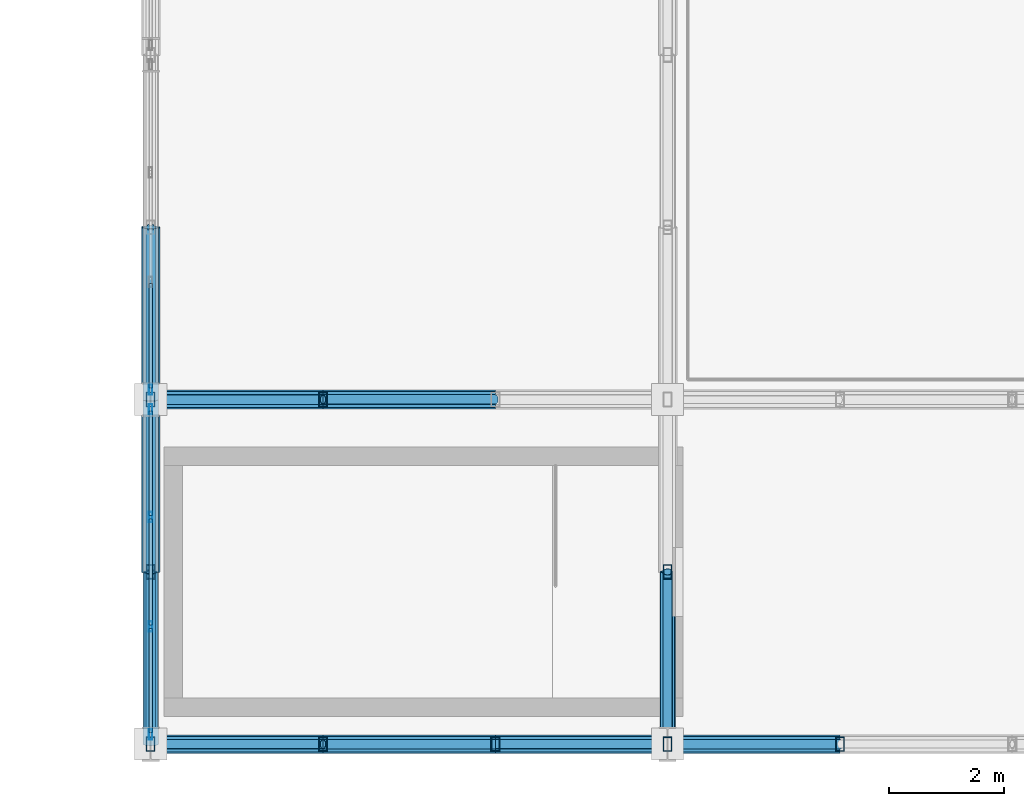
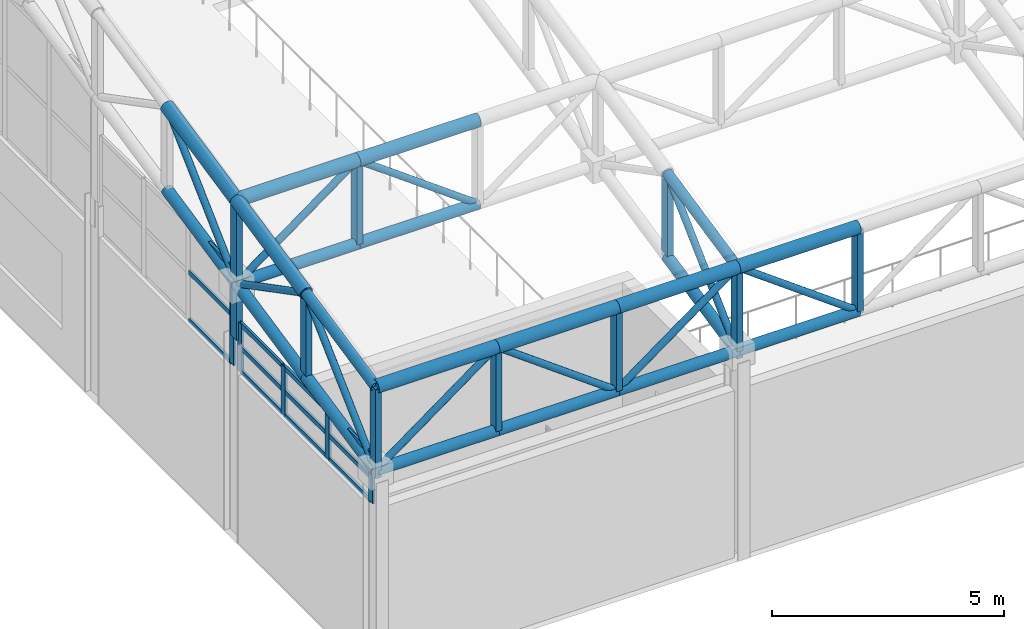
# One storey, part 11 of 112: 56 members, 2 elements without a shape of their own.
"""IFC4 building model written with IfcOpenShell, lengths in metres."""

import ifcopenshell
import ifcopenshell.guid

model = None  # the IFC model being written
_history = None  # IfcOwnerHistory: only IFC2X3 demands one
_inside = {}  # id of a spatial element -> (the spatial element, [elements in it])
_under = {}  # id of a project, library or spatial element -> (it, [spatial elements below it])
_declared = {}  # id of a project -> (the project, [libraries it declares])
_typed = {}  # id of a type object -> (the type object, [elements of that type])
_made_of = {}  # id of a material, layer set ... -> (it, [elements and type objects made of it])


def new_model(schema):
    """Start an empty IFC model of exactly this schema.

    Asked for "IFC4X3", IfcOpenShell would pick the latest addendum, in which some entities
    have other attributes; the version numbers below select the first issue.
    IFC2X3 requires an IfcOwnerHistory on every rooted entity: one is made here for all.
    """
    global model, _history
    if schema == "IFC4X3":
        model = ifcopenshell.file(schema_version=(4, 3, 0, 0))
    else:
        model = ifcopenshell.file(schema=schema)
    _inside.clear()
    _under.clear()
    _declared.clear()
    _typed.clear()
    _made_of.clear()
    _history = None
    if model.schema == "IFC2X3":
        org = make("IfcOrganization", Name="unknown")
        user = make(
            "IfcPersonAndOrganization",
            ThePerson=make("IfcPerson", FamilyName="unknown"),
            TheOrganization=org,
        )
        app = make(
            "IfcApplication",
            ApplicationDeveloper=org,
            Version="unknown",
            ApplicationFullName="unknown",
            ApplicationIdentifier="unknown",
        )
        _history = make(
            "IfcOwnerHistory",
            OwningUser=user,
            OwningApplication=app,
            ChangeAction="ADDED",
            CreationDate=0,
        )
    return model


def make(cls, **values):
    """One entity of the class cls with the attributes given. An attribute that is None is left unset."""
    return model.create_entity(
        cls, **{name: value for name, value in values.items() if value is not None}
    )


def rooted(cls, **values):
    """An entity with a GlobalId (a new one), such as an element, a storey or a relation."""
    return make(cls, GlobalId=ifcopenshell.guid.new(), OwnerHistory=_history, **values)


def si_unit(unit_type, name, prefix=None):
    """IfcSIUnit, for example si_unit("LENGTHUNIT", "METRE", prefix="MILLI")."""
    return make("IfcSIUnit", UnitType=unit_type, Prefix=prefix, Name=name)


def assignment(units):
    """IfcUnitAssignment: the units of a project."""
    return None if units is None else make("IfcUnitAssignment", Units=units)


def point(xyz):
    """IfcCartesianPoint."""
    return None if xyz is None else make("IfcCartesianPoint", Coordinates=xyz)


def direction(xyz):
    """IfcDirection."""
    return None if xyz is None else make("IfcDirection", DirectionRatios=xyz)


def frame(location, z_axis=None, x_axis=None):
    """IfcAxis2Placement3D, a coordinate frame: its origin and axes. An axis left out is left unset."""
    return make(
        "IfcAxis2Placement3D",
        Location=point(location),
        Axis=direction(z_axis),
        RefDirection=direction(x_axis),
    )


def frame_2d(location, x_axis=None):
    """IfcAxis2Placement2D, a coordinate frame in the plane: its origin and x axis."""
    return make(
        "IfcAxis2Placement2D", Location=point(location), RefDirection=direction(x_axis)
    )


def origin():
    """The frame at (0, 0, 0) with its axes left unset."""
    return frame((0.0, 0.0, 0.0))


def origin_2d():
    """The frame at (0, 0) in the plane with its x axis left unset."""
    return frame_2d((0.0, 0.0))


def place(relative_to, where):
    """IfcLocalPlacement: puts the frame where relative to a parent placement (None: the world)."""
    return make(
        "IfcLocalPlacement", PlacementRelTo=relative_to, RelativePlacement=where
    )


def context(
    kind, dimensions, precision=None, world=None, true_north=None, identifier=None
):
    """IfcGeometricRepresentationContext, for example the 3D "Model" context."""
    return make(
        "IfcGeometricRepresentationContext",
        ContextIdentifier=identifier,
        ContextType=kind,
        CoordinateSpaceDimension=dimensions,
        Precision=precision,
        WorldCoordinateSystem=world,
        TrueNorth=true_north,
    )


def subcontext(parent, identifier, kind, view, scale=None):
    """IfcGeometricRepresentationSubContext, for example "Body" below "Model"."""
    return make(
        "IfcGeometricRepresentationSubContext",
        ContextIdentifier=identifier,
        ContextType=kind,
        ParentContext=parent,
        TargetScale=scale,
        TargetView=view,
    )


def project(units=None, contexts=None):
    """IfcProject with its units and contexts."""
    return rooted(
        "IfcProject",
        Name="project",
        RepresentationContexts=contexts,
        UnitsInContext=assignment(units),
    )


def spatial(cls, under=None, at=None, **own):
    """A site, building, storey or space (cls), placed at a placement, below another one or the project."""
    s = rooted(cls, ObjectPlacement=at, **own)
    if under is not None:
        _under.setdefault(under.id(), (under, []))[1].append(s)
    return s


def profile(cls, at=None, kind="AREA", **sizes):
    """A parametric profile (cls). Its sizes go by their IFC names, for example OverallWidth=200.0."""
    return make(cls, ProfileType=kind, Position=at, **sizes)


def hollow_rectangle(**sizes):
    """IfcRectangleHollowProfileDef."""
    return profile("IfcRectangleHollowProfileDef", **sizes)


def hollow_circle(**sizes):
    """IfcCircleHollowProfileDef."""
    return profile("IfcCircleHollowProfileDef", **sizes)


def extrude(swept, where, along, depth):
    """IfcExtrudedAreaSolid: the profile swept, set in the frame where, extruded along a direction by depth."""
    return make(
        "IfcExtrudedAreaSolid",
        SweptArea=swept,
        Position=where,
        ExtrudedDirection=direction(along),
        Depth=depth,
    )


def shape(context_of_items, identifier, shape_type, items):
    """IfcShapeRepresentation: the items that make up one representation, for example the "Body"."""
    return make(
        "IfcShapeRepresentation",
        ContextOfItems=context_of_items,
        RepresentationIdentifier=identifier,
        RepresentationType=shape_type,
        Items=items,
    )


def material(Name=None, Category=None):
    """IfcMaterial."""
    return make("IfcMaterial", Name=Name, Category=Category)


def material_profile(
    of_material, cross_section, Name=None, Category=None, Priority=None
):
    """IfcMaterialProfile: a cross section and its material."""
    return make(
        "IfcMaterialProfile",
        Name=Name,
        Material=of_material,
        Profile=cross_section,
        Priority=Priority,
        Category=Category,
    )


def profile_set(profiles, Name=None, composite=None):
    """IfcMaterialProfileSet."""
    return make(
        "IfcMaterialProfileSet",
        Name=Name,
        MaterialProfiles=profiles,
        CompositeProfile=composite,
    )


def made_of(thing, what):
    """Note that an element or type object is made of a material, layer set ...; save() writes the relation."""
    if what is not None:
        _made_of.setdefault(what.id(), (what, []))[1].append(thing)
    return thing


def type_object(cls, material=None, **own):
    """A type object (cls), such as IfcWallType, which elements share."""
    return made_of(rooted(cls, **own), material)


def element(
    cls,
    number,
    at=None,
    inside=None,
    cuts=None,
    type_object=None,
    material=None,
    context=None,
    identifier="Body",
    shape_type=None,
    held_by="IfcProductDefinitionShape",
    body=None,
    shapes=None,
    **own,
):
    """One element of the class cls, such as IfcWall. Its Tag is "e" and its number.

    at: its placement. inside: the storey or other place that contains it. cuts: it is an
    opening in that element (IfcRelVoidsElement). A single representation is given by context,
    identifier, shape_type and body (its items); several are given by shapes. held_by: the class
    of the entity that holds the representations. save() writes the other relations.
    """
    e = rooted(cls, Tag="e%d" % number, ObjectPlacement=at, **own)
    if body is not None:
        shapes = [shape(context, identifier, shape_type, body)]
    if shapes is not None:
        e.Representation = make(held_by, Representations=shapes)
    if inside is not None:
        _inside.setdefault(inside.id(), (inside, []))[1].append(e)
    if cuts is not None:
        rooted(
            "IfcRelVoidsElement", RelatingBuildingElement=cuts, RelatedOpeningElement=e
        )
    if type_object is not None:
        _typed.setdefault(type_object.id(), (type_object, []))[1].append(e)
    return made_of(e, material)


def aggregate(whole, parts):
    """IfcRelAggregates: a whole, such as a stair, and the parts it consists of."""
    return rooted("IfcRelAggregates", RelatingObject=whole, RelatedObjects=parts)


def save(model, path):
    """Write the relations noted so far, then the file.

    IfcRelAggregates (storeys below a building ...), IfcRelContainedInSpatialStructure (elements
    in a storey), IfcRelDefinesByType, IfcRelAssociatesMaterial and IfcRelDeclares: one each for
    every whole, place, type object, material and project.
    """
    for whole, parts in _under.values():
        aggregate(whole, parts)
    for where, things in _inside.values():
        rooted(
            "IfcRelContainedInSpatialStructure",
            RelatedElements=things,
            RelatingStructure=where,
        )
    for kind, things in _typed.values():
        rooted("IfcRelDefinesByType", RelatedObjects=things, RelatingType=kind)
    for what, things in _made_of.values():
        rooted("IfcRelAssociatesMaterial", RelatedObjects=things, RelatingMaterial=what)
    for by, libraries in _declared.values():
        rooted("IfcRelDeclares", RelatingContext=by, RelatedDefinitions=libraries)
    model.write(path)


model = new_model("IFC4")

# Units and contexts
model_context = context("Model", 3, precision=1e-05, world=origin(), true_north=direction((0.0, 1.0)))
body_context = subcontext(model_context, "Body", "Model", "MODEL_VIEW")
ifc_project = project(units=[si_unit("LENGTHUNIT", "METRE"), si_unit("AREAUNIT", "SQUARE_METRE"), si_unit("VOLUMEUNIT", "CUBIC_METRE"), si_unit("PLANEANGLEUNIT", "RADIAN"), si_unit("MASSUNIT", "GRAM", prefix="KILO")], contexts=[model_context])

# Site, building, storey
site_placement = place(None, origin())
site = spatial("IfcSite", under=ifc_project, at=site_placement, CompositionType="ELEMENT")
building_placement = place(site_placement, origin())
building = spatial("IfcBuilding", under=site, at=building_placement, Name="Kaldris Quays Convention Centre", CompositionType="ELEMENT")
storey_placement = place(building_placement, frame((0.0, 0.0, 16.800048828125)))
storey = spatial("IfcBuildingStorey", under=building, at=storey_placement, Name="L03", CompositionType="ELEMENT", Elevation=16.800048828125)

# Curtain wall, members
ifc_material_1 = material(Name="Anodized aluminium AW-6060 and triple glazing", Category="aluminium")
curtain_wall_type = type_object("IfcCurtainWallType", Name="UNITISED CURTAIN WALL CW05", PredefinedType="NOTDEFINED", material=ifc_material_1)
curtain_wall_1_placement = place(storey_placement, origin())
curtain_wall_1 = element("IfcCurtainWall", 1, at=curtain_wall_1_placement, inside=storey, type_object=curtain_wall_type, Name="L03 Unitised Curtain Wall CW05 259", PredefinedType="NOTDEFINED")
ifc_material_2 = material(Name="Anodized aluminium AW-6060", Category="aluminium")
ifc_material_profile_1 = material_profile(ifc_material_2, hollow_rectangle(XDim=0.06005859375, YDim=0.179931640625, WallThickness=0.0048828125, at=origin_2d()), Name="RHS 180x60x5")
ifc_profile_set_1 = profile_set([ifc_material_profile_1], Name="Anodized aluminium AW-6060")
member_type_1 = type_object("IfcMemberType", Name="CURTAIN MULLION CWM2", PredefinedType="MULLION", material=ifc_profile_set_1)
member_1_placement = place(storey_placement, frame((20.0, 16.169921875, 4.39501953125), z_axis=(0.0, 0.0, 1.0), x_axis=(-1.0, 0.0, 0.0)))
member_1 = element("IfcMember", 2, at=member_1_placement, type_object=member_type_1, Name="CW05 mullion 1", PredefinedType="MULLION", context=body_context, shape_type="SweptSolid", body=[
    extrude(hollow_rectangle(XDim=0.06005859375, YDim=0.179931640625, WallThickness=0.0048828125, at=origin_2d()), origin(), (0.0, 0.0, 1.0), 1.294921875),
])
member_2_placement = place(storey_placement, frame((20.0, 18.046630859375, 4.39501953125), z_axis=(0.0, 0.0, 1.0), x_axis=(-1.0, 0.0, 0.0)))
member_2 = element("IfcMember", 3, at=member_2_placement, type_object=member_type_1, Name="CW05 mullion 2", PredefinedType="MULLION", context=body_context, shape_type="SweptSolid", body=[
    extrude(hollow_rectangle(XDim=0.06005859375, YDim=0.179931640625, WallThickness=0.0048828125, at=origin_2d()), origin(), (0.0, 0.0, 1.0), 1.294921875),
])
member_3_placement = place(storey_placement, frame((20.0, 19.953369140625, 4.39501953125), z_axis=(0.0, 0.0, 1.0), x_axis=(-1.0, 0.0, 0.0)))
member_3 = element("IfcMember", 4, at=member_3_placement, type_object=member_type_1, Name="CW05 mullion 3", PredefinedType="MULLION", context=body_context, shape_type="SweptSolid", body=[
    extrude(hollow_rectangle(XDim=0.06005859375, YDim=0.179931640625, WallThickness=0.0048828125, at=origin_2d()), origin(), (0.0, 0.0, 1.0), 1.294921875),
])
member_4_placement = place(storey_placement, frame((20.0, 21.830078125, 4.39501953125), z_axis=(0.0, 0.0, 1.0), x_axis=(-1.0, 0.0, 0.0)))
member_4 = element("IfcMember", 5, at=member_4_placement, type_object=member_type_1, Name="CW05 mullion 4", PredefinedType="MULLION", context=body_context, shape_type="SweptSolid", body=[
    extrude(hollow_rectangle(XDim=0.06005859375, YDim=0.179931640625, WallThickness=0.0048828125, at=origin_2d()), origin(), (0.0, 0.0, 1.0), 1.294921875),
])

# Curtain wall, member
curtain_wall_2_placement = place(storey_placement, origin())
curtain_wall_2 = element("IfcCurtainWall", 6, at=curtain_wall_2_placement, inside=storey, type_object=curtain_wall_type, Name="L03 Unitised Curtain Wall CW05 260", PredefinedType="NOTDEFINED")
member_5_placement = place(storey_placement, frame((20.0, 22.169921875, 4.39501953125), z_axis=(0.0, 0.0, 1.0), x_axis=(-1.0, 0.0, 0.0)))
member_5 = element("IfcMember", 7, at=member_5_placement, type_object=member_type_1, Name="CW05 mullion 1", PredefinedType="MULLION", context=body_context, shape_type="SweptSolid", body=[
    extrude(hollow_rectangle(XDim=0.06005859375, YDim=0.179931640625, WallThickness=0.0048828125, at=origin_2d()), origin(), (0.0, 0.0, 1.0), 2.574951171875),
])

# Member
ifc_material_profile_2 = material_profile(ifc_material_2, hollow_rectangle(XDim=0.06005859375, YDim=0.1201171875, WallThickness=0.00390625, at=origin_2d()), Name="RHS 120x60x4")
ifc_profile_set_2 = profile_set([ifc_material_profile_2], Name="Anodized aluminium AW-6060")
member_type_2 = type_object("IfcMemberType", Name="CURTAIN TRANSOM CWT1", PredefinedType="USERDEFINED", material=ifc_profile_set_2)
member_6_placement = place(storey_placement, frame((20.0, 16.199951171875, 4.425048828125), z_axis=(0.0, 1.0, 0.0), x_axis=(-1.0, 0.0, 0.0)))
member_6 = element("IfcMember", 8, at=member_6_placement, type_object=member_type_2, Name="CW05 transom 1.1", ObjectType="TRANSOM", PredefinedType="USERDEFINED", context=body_context, shape_type="SweptSolid", body=[
    extrude(hollow_rectangle(XDim=0.06005859375, YDim=0.1201171875, WallThickness=0.00390625, at=origin_2d()), origin(), (0.0, 0.0, 1.0), 1.816650390625),
])

member_7_placement = place(storey_placement, frame((20.0, 16.199951171875, 5.04296875), z_axis=(0.0, 1.0, 0.0), x_axis=(-1.0, 0.0, 0.0)))
member_7 = element("IfcMember", 9, at=member_7_placement, type_object=member_type_2, Name="CW05 transom 1.2", ObjectType="TRANSOM", PredefinedType="USERDEFINED", context=body_context, shape_type="SweptSolid", body=[
    extrude(hollow_rectangle(XDim=0.06005859375, YDim=0.1201171875, WallThickness=0.00390625, at=origin_2d()), origin(), (0.0, 0.0, 1.0), 1.816650390625),
])

member_8_placement = place(storey_placement, frame((20.0, 16.199951171875, 5.659912109375), z_axis=(0.0, 1.0, 0.0), x_axis=(-1.0, 0.0, 0.0)))
member_8 = element("IfcMember", 10, at=member_8_placement, type_object=member_type_2, Name="CW05 transom 1.3", ObjectType="TRANSOM", PredefinedType="USERDEFINED", context=body_context, shape_type="SweptSolid", body=[
    extrude(hollow_rectangle(XDim=0.06005859375, YDim=0.1201171875, WallThickness=0.00390625, at=origin_2d()), origin(), (0.0, 0.0, 1.0), 1.816650390625),
])

member_9_placement = place(storey_placement, frame((20.0, 18.07666015625, 4.425048828125), z_axis=(0.0, 1.0, 0.0), x_axis=(-1.0, 0.0, 0.0)))
member_9 = element("IfcMember", 11, at=member_9_placement, type_object=member_type_2, Name="CW05 transom 2.1", ObjectType="TRANSOM", PredefinedType="USERDEFINED", context=body_context, shape_type="SweptSolid", body=[
    extrude(hollow_rectangle(XDim=0.06005859375, YDim=0.1201171875, WallThickness=0.00390625, at=origin_2d()), origin(), (0.0, 0.0, 1.0), 1.8466796875),
])

member_10_placement = place(storey_placement, frame((20.0, 18.07666015625, 5.04296875), z_axis=(0.0, 1.0, 0.0), x_axis=(-1.0, 0.0, 0.0)))
member_10 = element("IfcMember", 12, at=member_10_placement, type_object=member_type_2, Name="CW05 transom 2.2", ObjectType="TRANSOM", PredefinedType="USERDEFINED", context=body_context, shape_type="SweptSolid", body=[
    extrude(hollow_rectangle(XDim=0.06005859375, YDim=0.1201171875, WallThickness=0.00390625, at=origin_2d()), origin(), (0.0, 0.0, 1.0), 1.8466796875),
])

member_11_placement = place(storey_placement, frame((20.0, 18.07666015625, 5.659912109375), z_axis=(0.0, 1.0, 0.0), x_axis=(-1.0, 0.0, 0.0)))
member_11 = element("IfcMember", 13, at=member_11_placement, type_object=member_type_2, Name="CW05 transom 2.3", ObjectType="TRANSOM", PredefinedType="USERDEFINED", context=body_context, shape_type="SweptSolid", body=[
    extrude(hollow_rectangle(XDim=0.06005859375, YDim=0.1201171875, WallThickness=0.00390625, at=origin_2d()), origin(), (0.0, 0.0, 1.0), 1.8466796875),
])

member_12_placement = place(storey_placement, frame((20.0, 19.9833984375, 4.425048828125), z_axis=(0.0, 1.0, 0.0), x_axis=(-1.0, 0.0, 0.0)))
member_12 = element("IfcMember", 14, at=member_12_placement, type_object=member_type_2, Name="CW05 transom 3.1", ObjectType="TRANSOM", PredefinedType="USERDEFINED", context=body_context, shape_type="SweptSolid", body=[
    extrude(hollow_rectangle(XDim=0.06005859375, YDim=0.1201171875, WallThickness=0.00390625, at=origin_2d()), origin(), (0.0, 0.0, 1.0), 1.816650390625),
])

member_13_placement = place(storey_placement, frame((20.0, 19.9833984375, 5.04296875), z_axis=(0.0, 1.0, 0.0), x_axis=(-1.0, 0.0, 0.0)))
member_13 = element("IfcMember", 15, at=member_13_placement, type_object=member_type_2, Name="CW05 transom 3.2", ObjectType="TRANSOM", PredefinedType="USERDEFINED", context=body_context, shape_type="SweptSolid", body=[
    extrude(hollow_rectangle(XDim=0.06005859375, YDim=0.1201171875, WallThickness=0.00390625, at=origin_2d()), origin(), (0.0, 0.0, 1.0), 1.816650390625),
])

member_14_placement = place(storey_placement, frame((20.0, 19.9833984375, 5.659912109375), z_axis=(0.0, 1.0, 0.0), x_axis=(-1.0, 0.0, 0.0)))
member_14 = element("IfcMember", 16, at=member_14_placement, type_object=member_type_2, Name="CW05 transom 3.3", ObjectType="TRANSOM", PredefinedType="USERDEFINED", context=body_context, shape_type="SweptSolid", body=[
    extrude(hollow_rectangle(XDim=0.06005859375, YDim=0.1201171875, WallThickness=0.00390625, at=origin_2d()), origin(), (0.0, 0.0, 1.0), 1.816650390625),
])

aggregate(curtain_wall_1, [member_1, member_2, member_3, member_4, member_6, member_7, member_8, member_9, member_10, member_11, member_12, member_13, member_14])

member_15_placement = place(storey_placement, frame((20.0, 22.199951171875, 4.425048828125), z_axis=(0.0, 1.0, 0.0), x_axis=(-1.0, 0.0, 0.0)))
member_15 = element("IfcMember", 17, at=member_15_placement, type_object=member_type_2, Name="CW05 transom 1.1", ObjectType="TRANSOM", PredefinedType="USERDEFINED", context=body_context, shape_type="SweptSolid", body=[
    extrude(hollow_rectangle(XDim=0.06005859375, YDim=0.1201171875, WallThickness=0.00390625, at=origin_2d()), origin(), (0.0, 0.0, 1.0), 1.816650390625),
])

member_16_placement = place(storey_placement, frame((20.0, 22.199951171875, 5.682861328125), z_axis=(0.0, 1.0, 0.0), x_axis=(-1.0, 0.0, 0.0)))
member_16 = element("IfcMember", 18, at=member_16_placement, type_object=member_type_2, Name="CW05 transom 1.2", ObjectType="TRANSOM", PredefinedType="USERDEFINED", context=body_context, shape_type="SweptSolid", body=[
    extrude(hollow_rectangle(XDim=0.06005859375, YDim=0.1201171875, WallThickness=0.00390625, at=origin_2d()), origin(), (0.0, 0.0, 1.0), 1.816650390625),
])

member_17_placement = place(storey_placement, frame((20.0, 22.199951171875, 6.93994140625), z_axis=(0.0, 1.0, 0.0), x_axis=(-1.0, 0.0, 0.0)))
member_17 = element("IfcMember", 19, at=member_17_placement, type_object=member_type_2, Name="CW05 transom 1.3", ObjectType="TRANSOM", PredefinedType="USERDEFINED", context=body_context, shape_type="SweptSolid", body=[
    extrude(hollow_rectangle(XDim=0.06005859375, YDim=0.1201171875, WallThickness=0.00390625, at=origin_2d()), origin(), (0.0, 0.0, 1.0), 1.816650390625),
])

aggregate(curtain_wall_2, [member_5, member_15, member_16, member_17])

# Members
ifc_material_3 = material(Name="Steel S355J2H", Category="steel")
ifc_material_profile_3 = material_profile(ifc_material_3, hollow_circle(Radius=0.161865234375, WallThickness=0.01611328125, at=origin_2d()), Name="CHS 323.9x16")
ifc_profile_set_3 = profile_set([ifc_material_profile_3], Name="Steel S355J2H")
member_type_3 = type_object("IfcMemberType", Name="STRUCTURAL MEMBER SC03", PredefinedType="CHORD", material=ifc_profile_set_3)
for number, where, z_axis, x_axis, name in (
    (20, (20.0, 16.0, 7.530517578125), (1.0, 0.0, 0.0), (0.0, 1.0, 0.0), "SF-V3 Top Chord X 1"),
    (21, (23.0, 16.0, 7.530517578125), (1.0, 0.0, 0.0), (0.0, 1.0, 0.0), "SF-V3 Top Chord X 2"),
    (22, (26.0, 16.0, 7.530517578125), (1.0, 0.0, 0.0), (0.0, 1.0, 0.0), "SF-V3 Top Chord X 3"),
    (23, (29.0, 16.0, 7.530517578125), (1.0, 0.0, 0.0), (0.0, 1.0, 0.0), "SF-V3 Top Chord X 4"),
    (24, (20.0, 22.0, 8.810546875), (1.0, 0.0, 0.0), (0.0, 1.0, 0.0), "SF-V3 Top Chord X 22"),
    (25, (23.0, 22.0, 8.810546875), (1.0, 0.0, 0.0), (0.0, 1.0, 0.0), "SF-V3 Top Chord X 23"),
):
    element("IfcMember", number, at=place(storey_placement, frame(where, z_axis=z_axis, x_axis=x_axis)), inside=storey, type_object=member_type_3, Name=name, PredefinedType="CHORD", context=body_context, shape_type="SweptSolid", body=[
        extrude(hollow_circle(Radius=0.161865234375, WallThickness=0.01611328125, at=origin_2d()), origin(), (0.0, 0.0, 1.0), 3.0),
    ])
member_18_placement = place(storey_placement, frame((20.0, 19.0, 8.17041015625), z_axis=(0.0, 0.977983741211, 0.20868110103), x_axis=(-1.0, 0.0, 0.0)))
element("IfcMember", 26, at=member_18_placement, inside=storey, type_object=member_type_3, Name="SF-V3 Top Chord Y 107", PredefinedType="CHORD", context=body_context, shape_type="SweptSolid", body=[
    extrude(hollow_circle(Radius=0.161865234375, WallThickness=0.01611328125, at=origin_2d()), origin(), (0.0, 0.0, 1.0), 3.067626953125),
])
member_19_placement = place(storey_placement, frame((20.0, 22.0, 8.810546875), z_axis=(0.0, 0.977999981478, 0.208604976518), x_axis=(-1.0, 0.0, 0.0)))
element("IfcMember", 27, at=member_19_placement, inside=storey, type_object=member_type_3, Name="SF-V3 Top Chord Y 108", PredefinedType="CHORD", context=body_context, shape_type="SweptSolid", body=[
    extrude(hollow_circle(Radius=0.161865234375, WallThickness=0.01611328125, at=origin_2d()), origin(), (0.0, 0.0, 1.0), 3.0673828125),
])
ifc_material_profile_4 = material_profile(ifc_material_3, hollow_circle(Radius=0.136474609375, WallThickness=0.012451171875, at=origin_2d()), Name="CHS 273x12.5")
ifc_profile_set_4 = profile_set([ifc_material_profile_4], Name="Steel S355J2H")
member_type_4 = type_object("IfcMemberType", Name="STRUCTURAL MEMBER SC04", PredefinedType="CHORD", material=ifc_profile_set_4)
for number, where, z_axis, x_axis, name in (
    (28, (20.0, 16.0, 5.33056640625), (1.0, 0.0, 0.0), (0.0, 1.0, 0.0), "SF-V3 Bottom Chord X 1"),
    (29, (23.0, 16.0, 5.33056640625), (1.0, 0.0, 0.0), (0.0, 1.0, 0.0), "SF-V3 Bottom Chord X 2"),
    (30, (26.0, 16.0, 5.33056640625), (1.0, 0.0, 0.0), (0.0, 1.0, 0.0), "SF-V3 Bottom Chord X 3"),
    (31, (29.0, 16.0, 5.33056640625), (1.0, 0.0, 0.0), (0.0, 1.0, 0.0), "SF-V3 Bottom Chord X 4"),
    (32, (20.0, 22.0, 6.6103515625), (1.0, 0.0, 0.0), (0.0, 1.0, 0.0), "SF-V3 Bottom Chord X 22"),
    (33, (23.0, 22.0, 6.6103515625), (1.0, 0.0, 0.0), (0.0, 1.0, 0.0), "SF-V3 Bottom Chord X 23"),
):
    element("IfcMember", number, at=place(storey_placement, frame(where, z_axis=z_axis, x_axis=x_axis)), inside=storey, type_object=member_type_4, Name=name, PredefinedType="CHORD", context=body_context, shape_type="SweptSolid", body=[
        extrude(hollow_circle(Radius=0.136474609375, WallThickness=0.012451171875, at=origin_2d()), origin(), (0.0, 0.0, 1.0), 3.0),
    ])
for number, where, z_axis, x_axis, name in (
    (34, (20.0, 16.0, 5.33056640625), (0.0, 0.977999981478, 0.208604976518), (-1.0, 0.0, 0.0), "SF-V3 Bottom Chord Y 106"),
    (35, (20.0, 19.0, 5.970458984375), (0.0, 0.977999981478, 0.208604976518), (-1.0, 0.0, 0.0), "SF-V3 Bottom Chord Y 107"),
):
    element("IfcMember", number, at=place(storey_placement, frame(where, z_axis=z_axis, x_axis=x_axis)), inside=storey, type_object=member_type_4, Name=name, PredefinedType="CHORD", context=body_context, shape_type="SweptSolid", body=[
        extrude(hollow_circle(Radius=0.136474609375, WallThickness=0.012451171875, at=origin_2d()), origin(), (0.0, 0.0, 1.0), 3.0673828125),
    ])
member_20_placement = place(storey_placement, frame((20.0, 22.0, 6.6103515625), z_axis=(0.0, 0.977983741211, 0.20868110103), x_axis=(-1.0, 0.0, 0.0)))
element("IfcMember", 36, at=member_20_placement, inside=storey, type_object=member_type_4, Name="SF-V3 Bottom Chord Y 108", PredefinedType="CHORD", context=body_context, shape_type="SweptSolid", body=[
    extrude(hollow_circle(Radius=0.136474609375, WallThickness=0.012451171875, at=origin_2d()), origin(), (0.0, 0.0, 1.0), 3.067626953125),
])
member_21_placement = place(storey_placement, frame((29.0, 16.0, 5.33056640625), z_axis=(0.0, 0.977999981478, 0.208604976518), x_axis=(-1.0, 0.0, 0.0)))
element("IfcMember", 37, at=member_21_placement, inside=storey, type_object=member_type_4, Name="SF-V3 Bottom Chord Y 116", PredefinedType="CHORD", context=body_context, shape_type="SweptSolid", body=[
    extrude(hollow_circle(Radius=0.136474609375, WallThickness=0.012451171875, at=origin_2d()), origin(), (0.0, 0.0, 1.0), 3.0673828125),
])
ifc_material_profile_5 = material_profile(ifc_material_3, hollow_circle(Radius=0.122314453125, WallThickness=0.010009765625, at=origin_2d()), Name="CHS 244.5x10")
ifc_profile_set_5 = profile_set([ifc_material_profile_5], Name="Steel S355J2H")
member_type_5 = type_object("IfcMemberType", Name="STRUCTURAL MEMBER SC05", PredefinedType="CHORD", material=ifc_profile_set_5)
for number, where, z_axis, x_axis, name in (
    (38, (20.0, 16.0, 7.530517578125), (0.0, 0.977999981478, 0.208604976518), (-1.0, 0.0, 0.0), "SF-V3 Top Chord Y 106"),
    (39, (29.0, 16.0, 7.530517578125), (0.0, 0.977999981478, 0.208604976518), (-1.0, 0.0, 0.0), "SF-V3 Top Chord Y 116"),
):
    element("IfcMember", number, at=place(storey_placement, frame(where, z_axis=z_axis, x_axis=x_axis)), inside=storey, type_object=member_type_5, Name=name, PredefinedType="CHORD", context=body_context, shape_type="SweptSolid", body=[
        extrude(hollow_circle(Radius=0.122314453125, WallThickness=0.010009765625, at=origin_2d()), origin(), (0.0, 0.0, 1.0), 3.0673828125),
    ])
ifc_material_profile_6 = material_profile(ifc_material_3, hollow_circle(Radius=0.084228515625, WallThickness=0.008056640625, at=origin_2d()), Name="CHS 168.3x8")
ifc_profile_set_6 = profile_set([ifc_material_profile_6], Name="Steel S355J2H")
member_type_6 = type_object("IfcMemberType", Name="STRUCTURAL MEMBER SWB2", PredefinedType="BRACE", material=ifc_profile_set_6)
for number, where, z_axis, x_axis, name in (
    (40, (20.0, 16.0, 5.33056640625), (0.80641125493, 0.0, 0.591355128432), (0.0, 1.0, 0.0), "SF-V3 Web Diagonal X 1"),
    (41, (26.0, 16.0, 5.33056640625), (-0.80641125493, 0.0, 0.591355128432), (0.0, -1.0, 0.0), "SF-V3 Web Diagonal X 2"),
    (42, (26.0, 16.0, 5.33056640625), (0.80641125493, 0.0, 0.591355128432), (0.0, 1.0, 0.0), "SF-V3 Web Diagonal X 3"),
    (43, (32.0, 16.0, 5.33056640625), (-0.80641125493, 0.0, 0.591355128432), (0.0, -1.0, 0.0), "SF-V3 Web Diagonal X 4"),
    (44, (20.0, 22.0, 6.6103515625), (0.806379959628, 0.0, 0.591397802423), (0.0, 1.0, 0.0), "SF-V3 Web Diagonal X 22"),
    (45, (26.0, 22.0, 6.6103515625), (-0.806379959628, 0.0, 0.591397802423), (0.0, -1.0, 0.0), "SF-V3 Web Diagonal X 23"),
):
    element("IfcMember", number, at=place(storey_placement, frame(where, z_axis=z_axis, x_axis=x_axis)), inside=storey, type_object=member_type_6, Name=name, PredefinedType="BRACE", context=body_context, shape_type="SweptSolid", body=[
        extrude(hollow_circle(Radius=0.084228515625, WallThickness=0.008056640625, at=origin_2d()), origin(), (0.0, 0.0, 1.0), 3.72021484375),
    ])
member_22_placement = place(storey_placement, frame((20.0, 16.0, 5.33056640625), z_axis=(0.0, 0.72622595523, 0.687456080016), x_axis=(-1.0, 0.0, 0.0)))
element("IfcMember", 46, at=member_22_placement, inside=storey, type_object=member_type_6, Name="SF-V3 Web Diagonal Y 106", PredefinedType="BRACE", context=body_context, shape_type="SweptSolid", body=[
    extrude(hollow_circle(Radius=0.084228515625, WallThickness=0.008056640625, at=origin_2d()), origin(), (0.0, 0.0, 1.0), 4.130859375),
])
member_23_placement = place(storey_placement, frame((20.0, 22.0, 6.6103515625), z_axis=(0.0, -0.887209708306, 0.461366376634), x_axis=(1.0, 0.0, 0.0)))
element("IfcMember", 47, at=member_23_placement, inside=storey, type_object=member_type_6, Name="SF-V3 Web Diagonal Y 107", PredefinedType="BRACE", context=body_context, shape_type="SweptSolid", body=[
    extrude(hollow_circle(Radius=0.084228515625, WallThickness=0.008056640625, at=origin_2d()), origin(), (0.0, 0.0, 1.0), 3.38134765625),
])
member_24_placement = place(storey_placement, frame((20.0, 22.0, 6.6103515625), z_axis=(0.0, 0.726196449967, 0.687487247922), x_axis=(-1.0, 0.0, 0.0)))
element("IfcMember", 48, at=member_24_placement, inside=storey, type_object=member_type_6, Name="SF-V3 Web Diagonal Y 108", PredefinedType="BRACE", context=body_context, shape_type="SweptSolid", body=[
    extrude(hollow_circle(Radius=0.084228515625, WallThickness=0.008056640625, at=origin_2d()), origin(), (0.0, 0.0, 1.0), 4.131103515625),
])
member_25_placement = place(storey_placement, frame((29.0, 16.0, 5.33056640625), z_axis=(0.0, 0.72622595523, 0.687456080016), x_axis=(-1.0, 0.0, 0.0)))
element("IfcMember", 49, at=member_25_placement, inside=storey, type_object=member_type_6, Name="SF-V3 Web Diagonal Y 116", PredefinedType="BRACE", context=body_context, shape_type="SweptSolid", body=[
    extrude(hollow_circle(Radius=0.084228515625, WallThickness=0.008056640625, at=origin_2d()), origin(), (0.0, 0.0, 1.0), 4.130859375),
])
ifc_material_profile_7 = material_profile(ifc_material_3, hollow_rectangle(XDim=0.14990234375, YDim=0.25, WallThickness=0.010009765625, at=origin_2d()), Name="RHS 250x150x10")
ifc_profile_set_7 = profile_set([ifc_material_profile_7], Name="Steel S355J2H")
member_type_7 = type_object("IfcMemberType", Name="STRUCTURAL MEMBER TTV1", PredefinedType="POST", material=ifc_profile_set_7)
member_26_placement = place(storey_placement, frame((20.0, 16.0, 5.19384765625), z_axis=(0.0, 0.0, 1.0), x_axis=(1.0, 0.0, 0.0)))
element("IfcMember", 50, at=member_26_placement, inside=storey, type_object=member_type_7, Name="SF-V3 Space-Frame Post 1", PredefinedType="POST", context=body_context, shape_type="SweptSolid", body=[
    extrude(hollow_rectangle(XDim=0.14990234375, YDim=0.25, WallThickness=0.010009765625, at=origin_2d()), origin(), (0.0, 0.0, 1.0), 2.336669921875),
])
member_27_placement = place(storey_placement, frame((20.0, 19.0, 5.970458984375), z_axis=(0.0, 0.0, 1.0), x_axis=(1.0, 0.0, 0.0)))
element("IfcMember", 51, at=member_27_placement, inside=storey, type_object=member_type_7, Name="SF-V3 Space-Frame Post 2", PredefinedType="POST", context=body_context, shape_type="SweptSolid", body=[
    extrude(hollow_rectangle(XDim=0.14990234375, YDim=0.25, WallThickness=0.010009765625, at=origin_2d()), origin(), (0.0, 0.0, 1.0), 2.199951171875),
])
member_28_placement = place(storey_placement, frame((20.0, 22.0, 5.19384765625), z_axis=(0.0, 0.0, 1.0), x_axis=(1.0, 0.0, 0.0)))
element("IfcMember", 52, at=member_28_placement, inside=storey, type_object=member_type_7, Name="SF-V3 Space-Frame Post 3", PredefinedType="POST", context=body_context, shape_type="SweptSolid", body=[
    extrude(hollow_rectangle(XDim=0.14990234375, YDim=0.25, WallThickness=0.010009765625, at=origin_2d()), origin(), (0.0, 0.0, 1.0), 3.61669921875),
])
member_29_placement = place(storey_placement, frame((23.0, 16.0, 5.33056640625), z_axis=(0.0, 0.0, 1.0), x_axis=(1.0, 0.0, 0.0)))
element("IfcMember", 53, at=member_29_placement, inside=storey, type_object=member_type_7, Name="SF-V3 Space-Frame Post 12", PredefinedType="POST", context=body_context, shape_type="SweptSolid", body=[
    extrude(hollow_rectangle(XDim=0.14990234375, YDim=0.25, WallThickness=0.010009765625, at=origin_2d()), origin(), (0.0, 0.0, 1.0), 2.199951171875),
])
member_30_placement = place(storey_placement, frame((23.0, 22.0, 6.6103515625), z_axis=(0.0, 0.0, 1.0), x_axis=(1.0, 0.0, 0.0)))
element("IfcMember", 54, at=member_30_placement, inside=storey, type_object=member_type_7, Name="SF-V3 Space-Frame Post 13", PredefinedType="POST", context=body_context, shape_type="SweptSolid", body=[
    extrude(hollow_rectangle(XDim=0.14990234375, YDim=0.25, WallThickness=0.010009765625, at=origin_2d()), origin(), (0.0, 0.0, 1.0), 2.2001953125),
])
member_31_placement = place(storey_placement, frame((26.0, 16.0, 5.33056640625), z_axis=(0.0, 0.0, 1.0), x_axis=(1.0, 0.0, 0.0)))
element("IfcMember", 55, at=member_31_placement, inside=storey, type_object=member_type_7, Name="SF-V3 Space-Frame Post 17", PredefinedType="POST", context=body_context, shape_type="SweptSolid", body=[
    extrude(hollow_rectangle(XDim=0.14990234375, YDim=0.25, WallThickness=0.010009765625, at=origin_2d()), origin(), (0.0, 0.0, 1.0), 2.199951171875),
])
member_32_placement = place(storey_placement, frame((29.0, 16.0, 5.19384765625), z_axis=(0.0, 0.0, 1.0), x_axis=(1.0, 0.0, 0.0)))
element("IfcMember", 56, at=member_32_placement, inside=storey, type_object=member_type_7, Name="SF-V3 Space-Frame Post 22", PredefinedType="POST", context=body_context, shape_type="SweptSolid", body=[
    extrude(hollow_rectangle(XDim=0.14990234375, YDim=0.25, WallThickness=0.010009765625, at=origin_2d()), origin(), (0.0, 0.0, 1.0), 2.336669921875),
])
for number, where, z_axis, x_axis, name in (
    (57, (29.0, 19.0, 5.970458984375), (0.0, 0.0, 1.0), (1.0, 0.0, 0.0), "SF-V3 Space-Frame Post 23"),
    (58, (32.0, 16.0, 5.33056640625), (0.0, 0.0, 1.0), (1.0, 0.0, 0.0), "SF-V3 Space-Frame Post 33"),
):
    element("IfcMember", number, at=place(storey_placement, frame(where, z_axis=z_axis, x_axis=x_axis)), inside=storey, type_object=member_type_7, Name=name, PredefinedType="POST", context=body_context, shape_type="SweptSolid", body=[
        extrude(hollow_rectangle(XDim=0.14990234375, YDim=0.25, WallThickness=0.010009765625, at=origin_2d()), origin(), (0.0, 0.0, 1.0), 2.199951171875),
    ])

save(model, "model.ifc")
